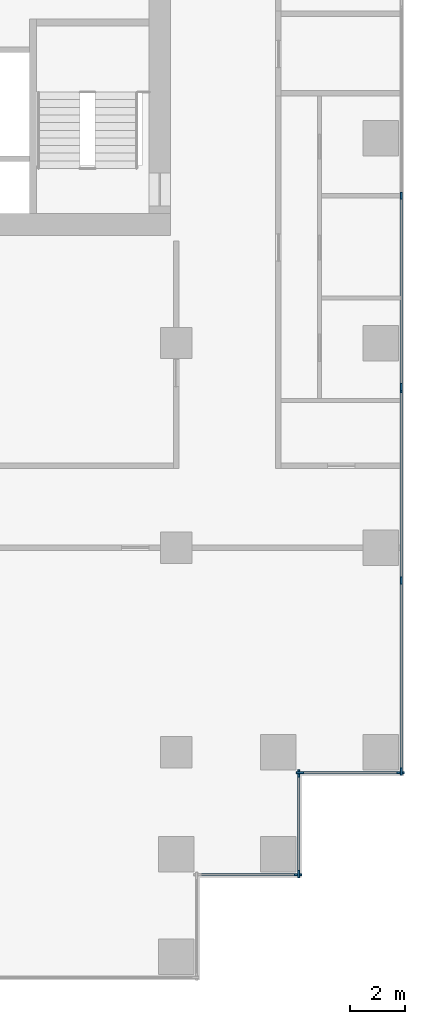
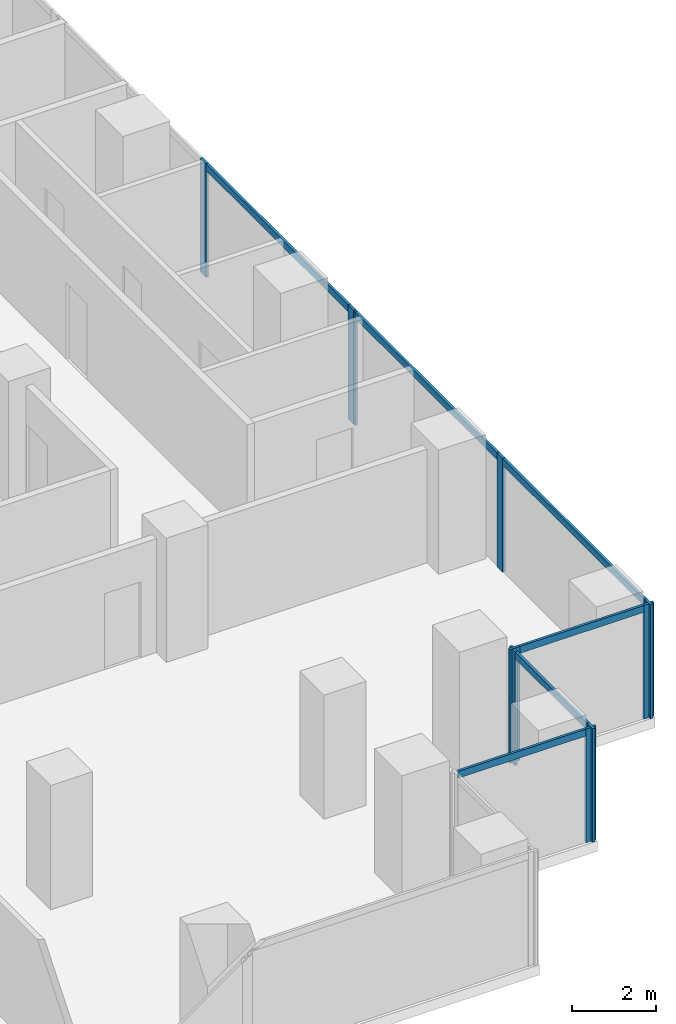
# One storey, part 3 of 10: 16 members, 5 elements without a shape of their own.
"""IFC4 building model written with IfcOpenShell, lengths in metres."""

from ifc_helpers import new_model, si_unit, direction, frame, origin, origin_2d, place, context, subcontext, project, spatial, rectangle, extrude, material, material_profile, profile_set, type_object, element, aggregate, save


model = new_model("IFC4")

# Units and contexts
model_context = context("Model", 3, precision=1e-05, world=origin(), true_north=direction((0.0, 1.0)))
body_context = subcontext(model_context, "Body", "Model", "MODEL_VIEW")
ifc_project = project(units=[si_unit("LENGTHUNIT", "METRE"), si_unit("AREAUNIT", "SQUARE_METRE"), si_unit("VOLUMEUNIT", "CUBIC_METRE"), si_unit("PLANEANGLEUNIT", "RADIAN"), si_unit("MASSUNIT", "GRAM", prefix="KILO")], contexts=[model_context])

# Site, building, storey
site_placement = place(None, origin())
site = spatial("IfcSite", under=ifc_project, at=site_placement, CompositionType="ELEMENT")
building_placement = place(site_placement, origin())
building = spatial("IfcBuilding", under=site, at=building_placement, Name="Pilkhan Gate Tower", CompositionType="ELEMENT")
storey_placement = place(building_placement, frame((0.0, 0.0, 128.800048828125)))
storey = spatial("IfcBuildingStorey", under=building, at=storey_placement, Name="L32", CompositionType="ELEMENT", Elevation=128.800048828125)

# Curtain wall, members
ifc_material_1 = material(Name="Pale anodised aluminium, clear low-iron double glazing", Category="aluminium")
curtain_wall_type = type_object("IfcCurtainWallType", Name="Office unitised curtain wall CW-O1", PredefinedType="USERDEFINED", material=ifc_material_1)
curtain_wall_1_placement = place(storey_placement, origin())
curtain_wall_1 = element("IfcCurtainWall", 1, at=curtain_wall_1_placement, inside=storey, type_object=curtain_wall_type, Name="Office unitised curtain wall CW-O1 L32 E", ObjectType="UNITISED CURTAIN WALL", PredefinedType="USERDEFINED")
ifc_material_2 = material(Name="Pale anodised aluminium", Category="aluminium")
ifc_material_profile_1 = material_profile(ifc_material_2, rectangle(XDim=0.070068359375, YDim=0.27490234375, at=origin_2d()), Name="Mullion 275x70")
ifc_profile_set_1 = profile_set([ifc_material_profile_1], Name="Pale anodised aluminium")
member_type_1 = type_object("IfcMemberType", Name="Mullion CW-O1 275x70", PredefinedType="MULLION", material=ifc_profile_set_1)
member_1_placement = place(storey_placement, frame((98.25, 51.784912109375, 0.0), z_axis=(0.0, 0.0, 1.0), x_axis=(-1.0, 0.0, 0.0)))
member_1 = element("IfcMember", 2, at=member_1_placement, type_object=member_type_1, Name="CW-O1 mullion 1", PredefinedType="MULLION", context=body_context, shape_type="SweptSolid", body=[
    extrude(rectangle(XDim=0.070068359375, YDim=0.27490234375, at=origin_2d()), origin(), (0.0, 0.0, 1.0), 3.300048828125),
])
member_2_placement = place(storey_placement, frame((98.25, 58.800048828125, 0.0), z_axis=(0.0, 0.0, 1.0), x_axis=(-1.0, 0.0, 0.0)))
member_2 = element("IfcMember", 3, at=member_2_placement, type_object=member_type_1, Name="CW-O1 mullion 2", PredefinedType="MULLION", context=body_context, shape_type="SweptSolid", body=[
    extrude(rectangle(XDim=0.070068359375, YDim=0.27490234375, at=origin_2d()), origin(), (0.0, 0.0, 1.0), 3.300048828125),
])
member_3_placement = place(storey_placement, frame((98.25, 65.81494140625, 0.0), z_axis=(0.0, 0.0, 1.0), x_axis=(-1.0, 0.0, 0.0)))
member_3 = element("IfcMember", 4, at=member_3_placement, type_object=member_type_1, Name="CW-O1 mullion 3", PredefinedType="MULLION", context=body_context, shape_type="SweptSolid", body=[
    extrude(rectangle(XDim=0.070068359375, YDim=0.27490234375, at=origin_2d()), origin(), (0.0, 0.0, 1.0), 3.300048828125),
])

curtain_wall_2_placement = place(storey_placement, origin())
curtain_wall_2 = element("IfcCurtainWall", 5, at=curtain_wall_2_placement, inside=storey, type_object=curtain_wall_type, Name="Office unitised curtain wall CW-O1 L32 E", ObjectType="UNITISED CURTAIN WALL", PredefinedType="USERDEFINED")
member_4_placement = place(storey_placement, frame((98.25, 65.885009765625, 0.0), z_axis=(0.0, 0.0, 1.0), x_axis=(-1.0, 0.0, 0.0)))
member_4 = element("IfcMember", 6, at=member_4_placement, type_object=member_type_1, Name="CW-O1 mullion 1", PredefinedType="MULLION", context=body_context, shape_type="SweptSolid", body=[
    extrude(rectangle(XDim=0.070068359375, YDim=0.27490234375, at=origin_2d()), origin(), (0.0, 0.0, 1.0), 3.300048828125),
])
member_5_placement = place(storey_placement, frame((98.25, 72.89990234375, 0.0), z_axis=(0.0, 0.0, 1.0), x_axis=(-1.0, 0.0, 0.0)))
member_5 = element("IfcMember", 7, at=member_5_placement, type_object=member_type_1, Name="CW-O1 mullion 2", PredefinedType="MULLION", context=body_context, shape_type="SweptSolid", body=[
    extrude(rectangle(XDim=0.070068359375, YDim=0.27490234375, at=origin_2d()), origin(), (0.0, 0.0, 1.0), 3.300048828125),
])

# Curtain wall, member
curtain_wall_3_placement = place(storey_placement, origin())
curtain_wall_3 = element("IfcCurtainWall", 8, at=curtain_wall_3_placement, inside=storey, type_object=curtain_wall_type, Name="Office unitised curtain wall CW-O1 L32 S", ObjectType="UNITISED CURTAIN WALL", PredefinedType="USERDEFINED")
member_6_placement = place(storey_placement, frame((94.465087890625, 48.0, 0.0), z_axis=(0.0, 0.0, 1.0), x_axis=(0.0, 1.0, 0.0)))
member_6 = element("IfcMember", 9, at=member_6_placement, type_object=member_type_1, Name="CW-O1 mullion 2", PredefinedType="MULLION", context=body_context, shape_type="SweptSolid", body=[
    extrude(rectangle(XDim=0.070068359375, YDim=0.27490234375, at=origin_2d()), origin(), (0.0, 0.0, 1.0), 3.300048828125),
])

# Curtain wall, members
curtain_wall_4_placement = place(storey_placement, origin())
curtain_wall_4 = element("IfcCurtainWall", 10, at=curtain_wall_4_placement, inside=storey, type_object=curtain_wall_type, Name="Office unitised curtain wall CW-O1 L32 E", ObjectType="UNITISED CURTAIN WALL", PredefinedType="USERDEFINED")
member_7_placement = place(storey_placement, frame((94.5, 48.034912109375, 0.0), z_axis=(0.0, 0.0, 1.0), x_axis=(-1.0, 0.0, 0.0)))
member_7 = element("IfcMember", 11, at=member_7_placement, type_object=member_type_1, Name="CW-O1 mullion 1", PredefinedType="MULLION", context=body_context, shape_type="SweptSolid", body=[
    extrude(rectangle(XDim=0.070068359375, YDim=0.27490234375, at=origin_2d()), origin(), (0.0, 0.0, 1.0), 3.300048828125),
])
member_8_placement = place(storey_placement, frame((94.5, 51.715087890625, 0.0), z_axis=(0.0, 0.0, 1.0), x_axis=(-1.0, 0.0, 0.0)))
member_8 = element("IfcMember", 12, at=member_8_placement, type_object=member_type_1, Name="CW-O1 mullion 2", PredefinedType="MULLION", context=body_context, shape_type="SweptSolid", body=[
    extrude(rectangle(XDim=0.070068359375, YDim=0.27490234375, at=origin_2d()), origin(), (0.0, 0.0, 1.0), 3.300048828125),
])

curtain_wall_5_placement = place(storey_placement, origin())
curtain_wall_5 = element("IfcCurtainWall", 13, at=curtain_wall_5_placement, inside=storey, type_object=curtain_wall_type, Name="Office unitised curtain wall CW-O1 L32 S", ObjectType="UNITISED CURTAIN WALL", PredefinedType="USERDEFINED")
member_9_placement = place(storey_placement, frame((94.534912109375, 51.75, 0.0), z_axis=(0.0, 0.0, 1.0), x_axis=(0.0, 1.0, 0.0)))
member_9 = element("IfcMember", 14, at=member_9_placement, type_object=member_type_1, Name="CW-O1 mullion 1", PredefinedType="MULLION", context=body_context, shape_type="SweptSolid", body=[
    extrude(rectangle(XDim=0.070068359375, YDim=0.27490234375, at=origin_2d()), origin(), (0.0, 0.0, 1.0), 3.300048828125),
])
member_10_placement = place(storey_placement, frame((98.215087890625, 51.75, 0.0), z_axis=(0.0, 0.0, 1.0), x_axis=(0.0, 1.0, 0.0)))
member_10 = element("IfcMember", 15, at=member_10_placement, type_object=member_type_1, Name="CW-O1 mullion 2", PredefinedType="MULLION", context=body_context, shape_type="SweptSolid", body=[
    extrude(rectangle(XDim=0.070068359375, YDim=0.27490234375, at=origin_2d()), origin(), (0.0, 0.0, 1.0), 3.300048828125),
])

# Member
ifc_material_profile_2 = material_profile(ifc_material_2, rectangle(XDim=0.070068359375, YDim=0.199951171875, at=origin_2d()), Name="Transom 200x70")
ifc_profile_set_2 = profile_set([ifc_material_profile_2], Name="Pale anodised aluminium")
member_type_2 = type_object("IfcMemberType", Name="Transom CW-O1 200x70", PredefinedType="USERDEFINED", material=ifc_profile_set_2)
member_11_placement = place(storey_placement, frame((98.25, 51.820068359375, 3.199951171875), z_axis=(0.0, 1.0, 0.0), x_axis=(-1.0, 0.0, 0.0)))
member_11 = element("IfcMember", 16, at=member_11_placement, type_object=member_type_2, Name="CW-O1 transom 1", ObjectType="TRANSOM", PredefinedType="USERDEFINED", context=body_context, shape_type="SweptSolid", body=[
    extrude(rectangle(XDim=0.070068359375, YDim=0.199951171875, at=origin_2d()), origin(), (0.0, 0.0, 1.0), 6.94482421875),
])

member_12_placement = place(storey_placement, frame((98.25, 58.8349609375, 3.199951171875), z_axis=(0.0, 1.0, 0.0), x_axis=(-1.0, 0.0, 0.0)))
member_12 = element("IfcMember", 17, at=member_12_placement, type_object=member_type_2, Name="CW-O1 transom 2", ObjectType="TRANSOM", PredefinedType="USERDEFINED", context=body_context, shape_type="SweptSolid", body=[
    extrude(rectangle(XDim=0.070068359375, YDim=0.199951171875, at=origin_2d()), origin(), (0.0, 0.0, 1.0), 6.945068359375),
])

aggregate(curtain_wall_1, [member_1, member_2, member_3, member_11, member_12])

member_13_placement = place(storey_placement, frame((98.25, 65.919921875, 3.199951171875), z_axis=(0.0, 1.0, 0.0), x_axis=(-1.0, 0.0, 0.0)))
member_13 = element("IfcMember", 18, at=member_13_placement, type_object=member_type_2, Name="CW-O1 transom 1", ObjectType="TRANSOM", PredefinedType="USERDEFINED", context=body_context, shape_type="SweptSolid", body=[
    extrude(rectangle(XDim=0.070068359375, YDim=0.199951171875, at=origin_2d()), origin(), (0.0, 0.0, 1.0), 6.945068359375),
])

aggregate(curtain_wall_2, [member_4, member_5, member_13])

member_14_placement = place(storey_placement, frame((90.820068359375, 48.0, 3.199951171875), z_axis=(1.0, 0.0, 0.0), x_axis=(0.0, 1.0, 0.0)))
member_14 = element("IfcMember", 19, at=member_14_placement, type_object=member_type_2, Name="CW-O1 transom 1", ObjectType="TRANSOM", PredefinedType="USERDEFINED", context=body_context, shape_type="SweptSolid", body=[
    extrude(rectangle(XDim=0.070068359375, YDim=0.199951171875, at=origin_2d()), origin(), (0.0, 0.0, 1.0), 3.60986328125),
])

aggregate(curtain_wall_3, [member_6, member_14])

member_15_placement = place(storey_placement, frame((94.5, 48.070068359375, 3.199951171875), z_axis=(0.0, 1.0, 0.0), x_axis=(-1.0, 0.0, 0.0)))
member_15 = element("IfcMember", 20, at=member_15_placement, type_object=member_type_2, Name="CW-O1 transom 1", ObjectType="TRANSOM", PredefinedType="USERDEFINED", context=body_context, shape_type="SweptSolid", body=[
    extrude(rectangle(XDim=0.070068359375, YDim=0.199951171875, at=origin_2d()), origin(), (0.0, 0.0, 1.0), 3.60986328125),
])

aggregate(curtain_wall_4, [member_7, member_8, member_15])

member_16_placement = place(storey_placement, frame((94.570068359375, 51.75, 3.199951171875), z_axis=(1.0, 0.0, 0.0), x_axis=(0.0, 1.0, 0.0)))
member_16 = element("IfcMember", 21, at=member_16_placement, type_object=member_type_2, Name="CW-O1 transom 1", ObjectType="TRANSOM", PredefinedType="USERDEFINED", context=body_context, shape_type="SweptSolid", body=[
    extrude(rectangle(XDim=0.070068359375, YDim=0.199951171875, at=origin_2d()), origin(), (0.0, 0.0, 1.0), 3.60986328125),
])

aggregate(curtain_wall_5, [member_9, member_10, member_16])

save(model, "model.ifc")
